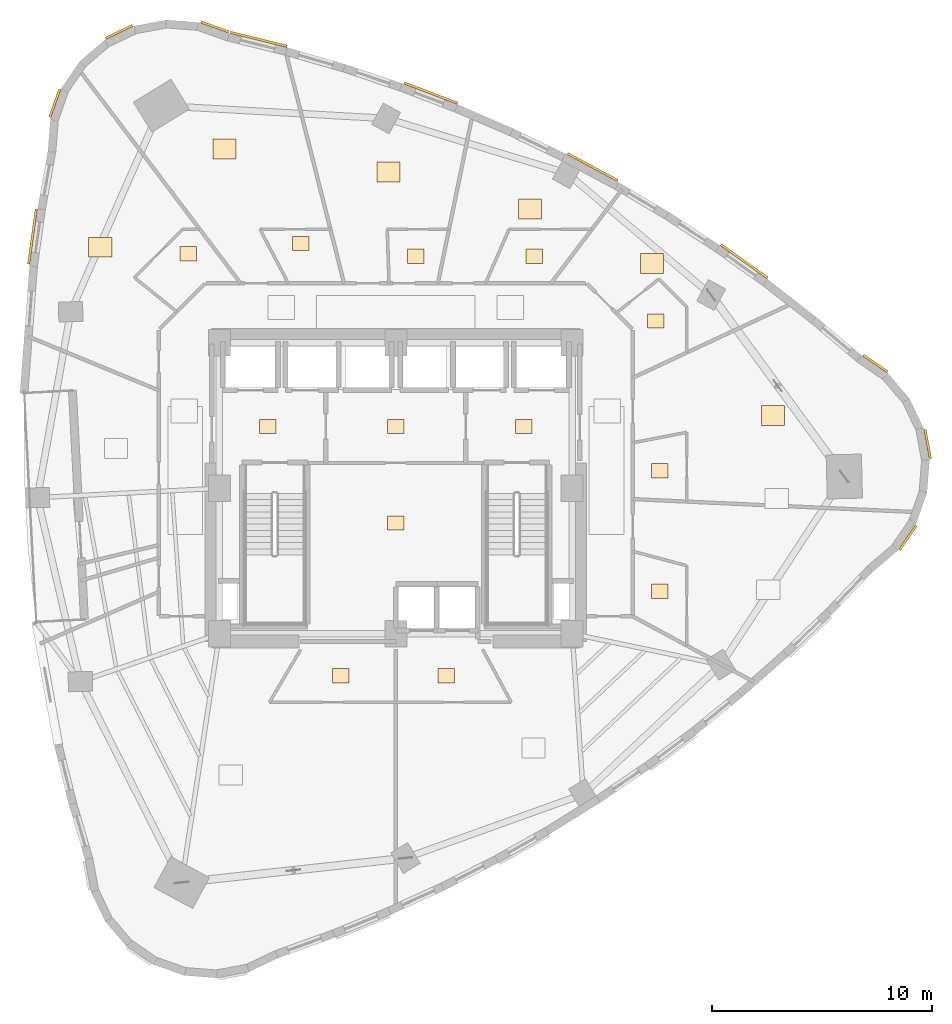
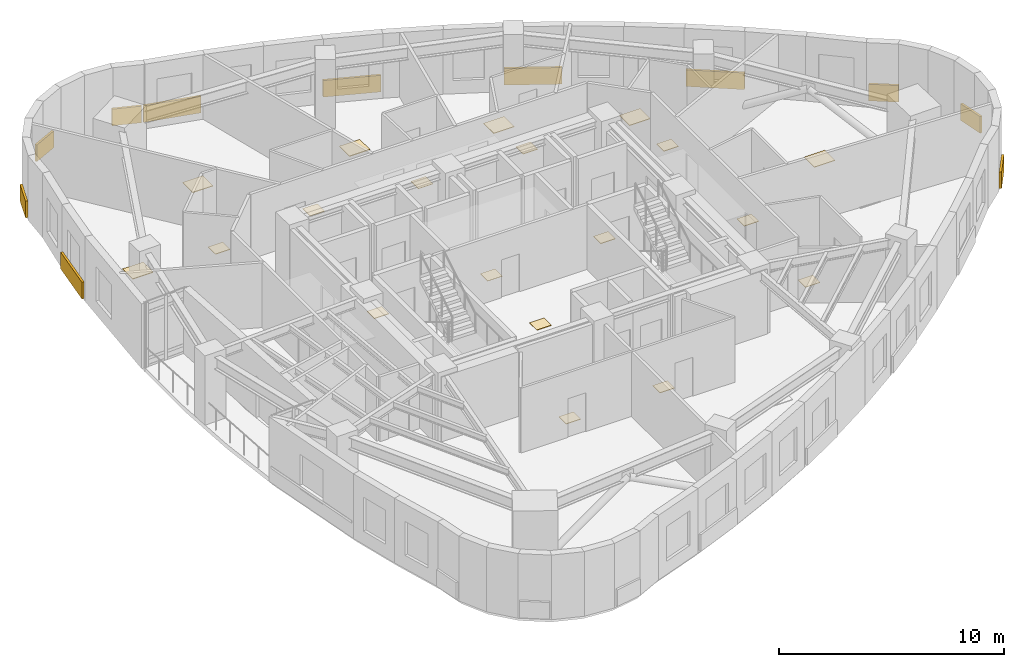
# One storey, part 13 of 13: 30 coverings.
"""IFC4 building model written with IfcOpenShell, lengths in metres."""

from ifc_helpers import new_model, si_unit, direction, frame, origin, origin_2d, place, context, subcontext, project, spatial, rectangle, extrude, material, layer, layer_set, type_object, element, save


model = new_model("IFC4")

# Units and contexts
model_context = context("Model", 3, precision=1e-05, world=origin(), true_north=direction((0.0, 1.0)))
body_context = subcontext(model_context, "Body", "Model", "MODEL_VIEW")
ifc_project = project(units=[si_unit("LENGTHUNIT", "METRE"), si_unit("AREAUNIT", "SQUARE_METRE"), si_unit("VOLUMEUNIT", "CUBIC_METRE"), si_unit("PLANEANGLEUNIT", "RADIAN"), si_unit("MASSUNIT", "GRAM", prefix="KILO")], contexts=[model_context])

# Site, building, storey
site_placement = place(None, origin())
site = spatial("IfcSite", under=ifc_project, at=site_placement, CompositionType="ELEMENT")
building_placement = place(site_placement, origin())
building = spatial("IfcBuilding", under=site, at=building_placement, Name="Ndelora Gate Hotel", CompositionType="ELEMENT")
storey_placement = place(building_placement, frame((0.0, 0.0, 134.75)))
storey = spatial("IfcBuildingStorey", under=building, at=storey_placement, Name="L33", CompositionType="ELEMENT", Elevation=134.75)

# Coverings
ifc_material_1 = material(Name="Terracotta Fired Clay Brick Slip Cladding", Category="masonry")
ifc_layer_1 = layer(ifc_material_1, 0.110107421875)
ifc_layer_set_1 = layer_set([ifc_layer_1], Name="Terracotta Fired Clay Brick Slip Cladding")
covering_type_1 = type_object("IfcCoveringType", Name="COV-CLAD-BRK", PredefinedType="CLADDING", material=ifc_layer_set_1)
for number, where, z_axis, x_axis, name in (
    (1, (-8.21044921875, 20.92626953125, 0.10009765625), (0.0, 0.0, 1.0), (-0.942641491092, 0.333806859234, 0.0), "L33 Rounded-Corner Brick Cladding Band 1"),
    (2, (-12.556884765625, 20.698486328125, 0.10009765625), (0.0, 0.0, 1.0), (0.90258528435, 0.430511096808, 0.0), "L33 Rounded-Corner Brick Cladding Band 4"),
    (3, (-15.468994140625, 17.464111328125, 0.10009765625), (0.0, 0.0, 1.0), (0.333806859234, 0.942641491092, 0.0), "L33 Rounded-Corner Brick Cladding Band 7"),
):
    element("IfcCovering", number, at=place(storey_placement, frame(where, z_axis=z_axis, x_axis=x_axis)), inside=storey, type_object=covering_type_1, Name=name, PredefinedType="CLADDING", context=body_context, shape_type="SweptSolid", body=[
        extrude(rectangle(XDim=1.3359375, YDim=0.110107421875, at=origin_2d()), origin(), (0.0, 0.0, 1.0), 0.89990234375),
    ])
covering_1_placement = place(storey_placement, frame((-16.48193359375, 11.41357421875, 0.10009765625), z_axis=(0.0, 0.0, 1.0), x_axis=(0.138654578758, 0.99034080386, 0.0)))
element("IfcCovering", 4, at=covering_1_placement, inside=storey, type_object=covering_type_1, Name="L33 Rounded-Corner Brick Cladding Band 10", PredefinedType="CLADDING", context=body_context, shape_type="SweptSolid", body=[
    extrude(rectangle(XDim=2.52001953125, YDim=0.110107421875, at=origin_2d()), origin(), (0.0, 0.0, 1.0), 0.89990234375),
])
for number, where, z_axis, x_axis, name in (
    (5, (23.22119140625, -2.24951171875, 0.10009765625), (0.0, 0.0, 1.0), (0.566406236925, 0.824126188622, 0.0), "L33 Rounded-Corner Brick Cladding Band 40"),
    (6, (24.126220703125, 2.0078125, 0.10009765625), (0.0, 0.0, 1.0), (-0.182235525492, 0.983254907564, 0.0), "L33 Rounded-Corner Brick Cladding Band 43"),
    (7, (21.755615234375, 5.65771484375, 0.10009765625), (0.0, 0.0, 1.0), (-0.824126188622, 0.566406236925, 0.0), "L33 Rounded-Corner Brick Cladding Band 46"),
):
    element("IfcCovering", number, at=place(storey_placement, frame(where, z_axis=z_axis, x_axis=x_axis)), inside=storey, type_object=covering_type_1, Name=name, PredefinedType="CLADDING", context=body_context, shape_type="SweptSolid", body=[
        extrude(rectangle(XDim=1.3359375, YDim=0.110107421875, at=origin_2d()), origin(), (0.0, 0.0, 1.0), 0.89990234375),
    ])
covering_2_placement = place(storey_placement, frame((15.8076171875, 10.294921875, 0.10009765625), z_axis=(0.0, 0.0, 1.0), x_axis=(-0.814520727071, 0.580134454392, 0.0)))
element("IfcCovering", 8, at=covering_2_placement, inside=storey, type_object=covering_type_1, Name="L33 Rounded-Corner Brick Cladding Band 49", PredefinedType="CLADDING", context=body_context, shape_type="SweptSolid", body=[
    extrude(rectangle(XDim=2.60791015625, YDim=0.110107421875, at=origin_2d()), origin(), (0.0, 0.0, 1.0), 0.89990234375),
])
covering_3_placement = place(storey_placement, frame((8.931640625, 14.568115234375, 0.10009765625), z_axis=(0.0, 0.0, 1.0), x_axis=(-0.881138447042, 0.472858369012, 0.0)))
element("IfcCovering", 9, at=covering_3_placement, inside=storey, type_object=covering_type_1, Name="L33 Rounded-Corner Brick Cladding Band 52", PredefinedType="CLADDING", context=body_context, shape_type="SweptSolid", body=[
    extrude(rectangle(XDim=2.580078125, YDim=0.110107421875, at=origin_2d()), origin(), (0.0, 0.0, 1.0), 0.89990234375),
])
covering_4_placement = place(storey_placement, frame((1.588623046875, 17.9248046875, 0.10009765625), z_axis=(0.0, 0.0, 1.0), x_axis=(-0.934017558691, 0.357227098715, 0.0)))
element("IfcCovering", 10, at=covering_4_placement, inside=storey, type_object=covering_type_1, Name="L33 Rounded-Corner Brick Cladding Band 55", PredefinedType="CLADDING", context=body_context, shape_type="SweptSolid", body=[
    extrude(rectangle(XDim=2.593994140625, YDim=0.110107421875, at=origin_2d()), origin(), (0.0, 0.0, 1.0), 0.89990234375),
])
covering_5_placement = place(storey_placement, frame((-6.22021484375, 20.3642578125, 0.10009765625), z_axis=(0.0, 0.0, 1.0), x_axis=(-0.970967515495, 0.239211379021, 0.0)))
element("IfcCovering", 11, at=covering_5_placement, inside=storey, type_object=covering_type_1, Name="L33 Rounded-Corner Brick Cladding Band 58", PredefinedType="CLADDING", context=body_context, shape_type="SweptSolid", body=[
    extrude(rectangle(XDim=2.65087890625, YDim=0.110107421875, at=origin_2d()), origin(), (0.0, 0.0, 1.0), 0.89990234375),
])
ifc_material_2 = material(Name="Engineered Highland Oak Parquet", Category="wood")
ifc_layer_2 = layer(ifc_material_2, 0.030029296875)
ifc_layer_set_2 = layer_set([ifc_layer_2], Name="Engineered Highland Oak Parquet")
covering_type_2 = type_object("IfcCoveringType", Name="COV-FLR-PARQ", PredefinedType="FLOORING", material=ifc_layer_set_2)
for number, where, z_axis, x_axis, name in (
    (12, (17.105224609375, 3.3017578125, 0.0), (0.0, 0.0, 1.0), (1.0, 0.0, 0.0), "L33 Club Superior Junior Suite 3604 Oak Parquet Flooring"),
    (13, (11.622802734375, 10.192626953125, 0.0), (0.0, 0.0, 1.0), (1.0, 0.0, 0.0), "L33 South Club Suite 3605 Oak Parquet Flooring"),
    (14, (6.093994140625, 12.674072265625, 0.0), (0.0, 0.0, 1.0), (1.0, 0.0, 0.0), "L33 Club King Guest Room 3606 Oak Parquet Flooring"),
    (15, (-0.337646484375, 14.3427734375, 0.0), (0.0, 0.0, 1.0), (1.0, 0.0, 0.0), "L33 Corner Club Suite 3607 Oak Parquet Flooring"),
    (16, (-7.763671875, 15.389892578125, 0.0), (0.0, 0.0, 1.0), (1.0, 0.0, 0.0), "L33 Club Twin Junior Suite 3608 Oak Parquet Flooring"),
    (17, (-13.40869140625, 10.92919921875, 0.0), (0.0, 0.0, 1.0), (1.0, 0.0, 0.0), "L33 Club Deluxe Guest Room 3609 Oak Parquet Flooring"),
):
    element("IfcCovering", number, at=place(storey_placement, frame(where, z_axis=z_axis, x_axis=x_axis)), inside=storey, type_object=covering_type_2, Name=name, PredefinedType="FLOORING", context=body_context, shape_type="SweptSolid", body=[
        extrude(rectangle(XDim=1.050048828125, YDim=0.89990234375, at=origin_2d()), origin(), (0.0, 0.0, 1.0), 0.030029296875),
    ])
ifc_material_3 = material(Name="Non-Slip Porcelain Wet-Room Tile", Category="ceramic")
ifc_layer_3 = layer(ifc_material_3, 0.02490234375)
ifc_layer_set_3 = layer_set([ifc_layer_3], Name="Non-Slip Porcelain Wet-Room Tile")
covering_type_3 = type_object("IfcCoveringType", Name="COV-FLR-TILE", PredefinedType="FLOORING", material=ifc_layer_set_3)
for number, where, z_axis, x_axis, name in (
    (18, (-5.800048828125, 2.800048828125, 0.0), (0.0, 0.0, 1.0), (1.0, 0.0, 0.0), "L33 Firefighting Lift Lobby West Porcelain Tile Flooring"),
    (19, (5.800048828125, 2.800048828125, 0.0), (0.0, 0.0, 1.0), (1.0, 0.0, 0.0), "L33 Firefighting Lift Lobby East Porcelain Tile Flooring"),
    (20, (0.0, 2.800048828125, 0.0), (0.0, 0.0, 1.0), (1.0, 0.0, 0.0), "L33 Central Passenger Lift Lobby Porcelain Tile Flooring"),
    (21, (0.0, -1.574951171875, 0.0), (0.0, 0.0, 1.0), (1.0, 0.0, 0.0), "L33 Core Electrical and Linen Service Store Porcelain Tile Flooring"),
    (22, (-2.507568359375, -8.510009765625, 0.0), (0.0, 0.0, 1.0), (1.0, 0.0, 0.0), "L33 En-suite Bathroom 3601 Porcelain Tile Flooring"),
    (23, (2.291748046875, -8.510009765625, 0.0), (0.0, 0.0, 1.0), (1.0, 0.0, 0.0), "L33 En-suite Bathroom 3602 Porcelain Tile Flooring"),
    (24, (11.97509765625, -4.665771484375, 0.0), (0.0, 0.0, 1.0), (1.0, 0.0, 0.0), "L33 En-suite Bathroom 3603 Porcelain Tile Flooring"),
    (25, (11.97509765625, 0.789306640625, 0.0), (0.0, 0.0, 1.0), (1.0, 0.0, 0.0), "L33 En-suite Bathroom 3604 Porcelain Tile Flooring"),
    (26, (11.7890625, 7.58837890625, 0.0), (0.0, 0.0, 1.0), (1.0, 0.0, 0.0), "L33 En-suite Bathroom 3605 Porcelain Tile Flooring"),
    (27, (6.282470703125, 10.52490234375, 0.0), (0.0, 0.0, 1.0), (1.0, 0.0, 0.0), "L33 En-suite Bathroom 3606 Porcelain Tile Flooring"),
    (28, (0.906494140625, 10.52490234375, 0.0), (0.0, 0.0, 1.0), (1.0, 0.0, 0.0), "L33 En-suite Bathroom 3607 Porcelain Tile Flooring"),
    (29, (-4.309326171875, 11.09912109375, 0.0), (0.0, 0.0, 1.0), (1.0, 0.0, 0.0), "L33 En-suite Bathroom 3608 Porcelain Tile Flooring"),
    (30, (-9.412109375, 10.635498046875, 0.0), (0.0, 0.0, 1.0), (1.0, 0.0, 0.0), "L33 En-suite Bathroom 3609 Porcelain Tile Flooring"),
):
    element("IfcCovering", number, at=place(storey_placement, frame(where, z_axis=z_axis, x_axis=x_axis)), inside=storey, type_object=covering_type_3, Name=name, PredefinedType="FLOORING", context=body_context, shape_type="SweptSolid", body=[
        extrude(rectangle(XDim=0.75, YDim=0.64990234375, at=origin_2d()), origin(), (0.0, 0.0, 1.0), 0.02490234375),
    ])

save(model, "model.ifc")
